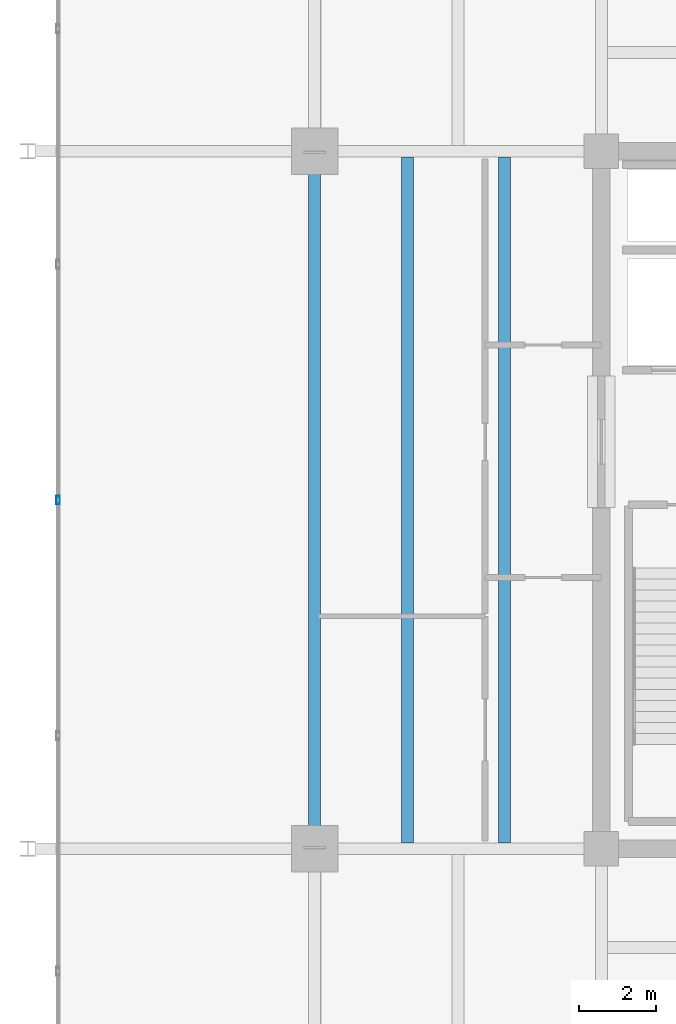
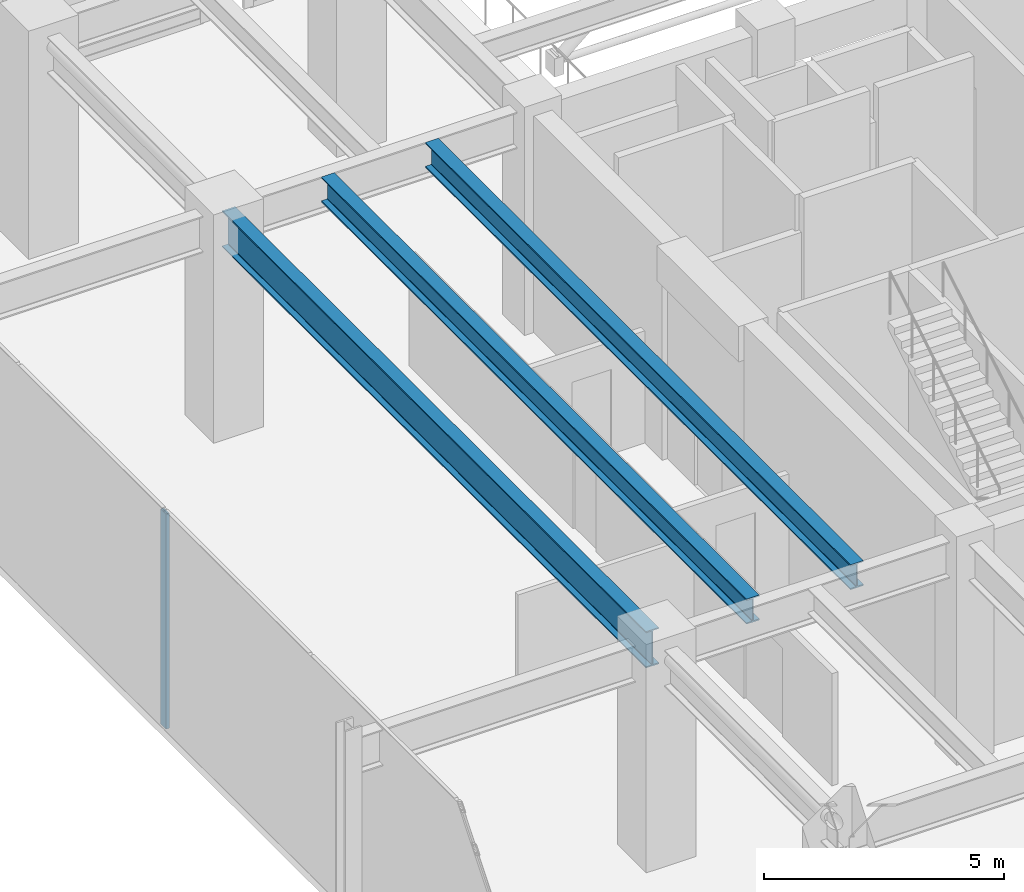
# One storey, part 6 of 25: 3 beams, 1 member, 1 element without a shape of its own.
"""IFC4 building model written with IfcOpenShell, lengths in metres."""

import ifcopenshell
import ifcopenshell.guid

model = None  # the IFC model being written
_history = None  # IfcOwnerHistory: only IFC2X3 demands one
_inside = {}  # id of a spatial element -> (the spatial element, [elements in it])
_under = {}  # id of a project, library or spatial element -> (it, [spatial elements below it])
_declared = {}  # id of a project -> (the project, [libraries it declares])
_typed = {}  # id of a type object -> (the type object, [elements of that type])
_made_of = {}  # id of a material, layer set ... -> (it, [elements and type objects made of it])


def new_model(schema):
    """Start an empty IFC model of exactly this schema.

    Asked for "IFC4X3", IfcOpenShell would pick the latest addendum, in which some entities
    have other attributes; the version numbers below select the first issue.
    IFC2X3 requires an IfcOwnerHistory on every rooted entity: one is made here for all.
    """
    global model, _history
    if schema == "IFC4X3":
        model = ifcopenshell.file(schema_version=(4, 3, 0, 0))
    else:
        model = ifcopenshell.file(schema=schema)
    _inside.clear()
    _under.clear()
    _declared.clear()
    _typed.clear()
    _made_of.clear()
    _history = None
    if model.schema == "IFC2X3":
        org = make("IfcOrganization", Name="unknown")
        user = make(
            "IfcPersonAndOrganization",
            ThePerson=make("IfcPerson", FamilyName="unknown"),
            TheOrganization=org,
        )
        app = make(
            "IfcApplication",
            ApplicationDeveloper=org,
            Version="unknown",
            ApplicationFullName="unknown",
            ApplicationIdentifier="unknown",
        )
        _history = make(
            "IfcOwnerHistory",
            OwningUser=user,
            OwningApplication=app,
            ChangeAction="ADDED",
            CreationDate=0,
        )
    return model


def make(cls, **values):
    """One entity of the class cls with the attributes given. An attribute that is None is left unset."""
    return model.create_entity(
        cls, **{name: value for name, value in values.items() if value is not None}
    )


def rooted(cls, **values):
    """An entity with a GlobalId (a new one), such as an element, a storey or a relation."""
    return make(cls, GlobalId=ifcopenshell.guid.new(), OwnerHistory=_history, **values)


def si_unit(unit_type, name, prefix=None):
    """IfcSIUnit, for example si_unit("LENGTHUNIT", "METRE", prefix="MILLI")."""
    return make("IfcSIUnit", UnitType=unit_type, Prefix=prefix, Name=name)


def assignment(units):
    """IfcUnitAssignment: the units of a project."""
    return None if units is None else make("IfcUnitAssignment", Units=units)


def point(xyz):
    """IfcCartesianPoint."""
    return None if xyz is None else make("IfcCartesianPoint", Coordinates=xyz)


def direction(xyz):
    """IfcDirection."""
    return None if xyz is None else make("IfcDirection", DirectionRatios=xyz)


def frame(location, z_axis=None, x_axis=None):
    """IfcAxis2Placement3D, a coordinate frame: its origin and axes. An axis left out is left unset."""
    return make(
        "IfcAxis2Placement3D",
        Location=point(location),
        Axis=direction(z_axis),
        RefDirection=direction(x_axis),
    )


def frame_2d(location, x_axis=None):
    """IfcAxis2Placement2D, a coordinate frame in the plane: its origin and x axis."""
    return make(
        "IfcAxis2Placement2D", Location=point(location), RefDirection=direction(x_axis)
    )


def origin():
    """The frame at (0, 0, 0) with its axes left unset."""
    return frame((0.0, 0.0, 0.0))


def origin_2d():
    """The frame at (0, 0) in the plane with its x axis left unset."""
    return frame_2d((0.0, 0.0))


def place(relative_to, where):
    """IfcLocalPlacement: puts the frame where relative to a parent placement (None: the world)."""
    return make(
        "IfcLocalPlacement", PlacementRelTo=relative_to, RelativePlacement=where
    )


def context(
    kind, dimensions, precision=None, world=None, true_north=None, identifier=None
):
    """IfcGeometricRepresentationContext, for example the 3D "Model" context."""
    return make(
        "IfcGeometricRepresentationContext",
        ContextIdentifier=identifier,
        ContextType=kind,
        CoordinateSpaceDimension=dimensions,
        Precision=precision,
        WorldCoordinateSystem=world,
        TrueNorth=true_north,
    )


def subcontext(parent, identifier, kind, view, scale=None):
    """IfcGeometricRepresentationSubContext, for example "Body" below "Model"."""
    return make(
        "IfcGeometricRepresentationSubContext",
        ContextIdentifier=identifier,
        ContextType=kind,
        ParentContext=parent,
        TargetScale=scale,
        TargetView=view,
    )


def project(units=None, contexts=None):
    """IfcProject with its units and contexts."""
    return rooted(
        "IfcProject",
        Name="project",
        RepresentationContexts=contexts,
        UnitsInContext=assignment(units),
    )


def spatial(cls, under=None, at=None, **own):
    """A site, building, storey or space (cls), placed at a placement, below another one or the project."""
    s = rooted(cls, ObjectPlacement=at, **own)
    if under is not None:
        _under.setdefault(under.id(), (under, []))[1].append(s)
    return s


def profile(cls, at=None, kind="AREA", **sizes):
    """A parametric profile (cls). Its sizes go by their IFC names, for example OverallWidth=200.0."""
    return make(cls, ProfileType=kind, Position=at, **sizes)


def hollow_rectangle(**sizes):
    """IfcRectangleHollowProfileDef."""
    return profile("IfcRectangleHollowProfileDef", **sizes)


def i_section(**sizes):
    """IfcIShapeProfileDef."""
    return profile("IfcIShapeProfileDef", **sizes)


def extrude(swept, where, along, depth):
    """IfcExtrudedAreaSolid: the profile swept, set in the frame where, extruded along a direction by depth."""
    return make(
        "IfcExtrudedAreaSolid",
        SweptArea=swept,
        Position=where,
        ExtrudedDirection=direction(along),
        Depth=depth,
    )


def shape(context_of_items, identifier, shape_type, items):
    """IfcShapeRepresentation: the items that make up one representation, for example the "Body"."""
    return make(
        "IfcShapeRepresentation",
        ContextOfItems=context_of_items,
        RepresentationIdentifier=identifier,
        RepresentationType=shape_type,
        Items=items,
    )


def material(Name=None, Category=None):
    """IfcMaterial."""
    return make("IfcMaterial", Name=Name, Category=Category)


def material_profile(
    of_material, cross_section, Name=None, Category=None, Priority=None
):
    """IfcMaterialProfile: a cross section and its material."""
    return make(
        "IfcMaterialProfile",
        Name=Name,
        Material=of_material,
        Profile=cross_section,
        Priority=Priority,
        Category=Category,
    )


def profile_set(profiles, Name=None, composite=None):
    """IfcMaterialProfileSet."""
    return make(
        "IfcMaterialProfileSet",
        Name=Name,
        MaterialProfiles=profiles,
        CompositeProfile=composite,
    )


def made_of(thing, what):
    """Note that an element or type object is made of a material, layer set ...; save() writes the relation."""
    if what is not None:
        _made_of.setdefault(what.id(), (what, []))[1].append(thing)
    return thing


def type_object(cls, material=None, **own):
    """A type object (cls), such as IfcWallType, which elements share."""
    return made_of(rooted(cls, **own), material)


def element(
    cls,
    number,
    at=None,
    inside=None,
    cuts=None,
    type_object=None,
    material=None,
    context=None,
    identifier="Body",
    shape_type=None,
    held_by="IfcProductDefinitionShape",
    body=None,
    shapes=None,
    **own,
):
    """One element of the class cls, such as IfcWall. Its Tag is "e" and its number.

    at: its placement. inside: the storey or other place that contains it. cuts: it is an
    opening in that element (IfcRelVoidsElement). A single representation is given by context,
    identifier, shape_type and body (its items); several are given by shapes. held_by: the class
    of the entity that holds the representations. save() writes the other relations.
    """
    e = rooted(cls, Tag="e%d" % number, ObjectPlacement=at, **own)
    if body is not None:
        shapes = [shape(context, identifier, shape_type, body)]
    if shapes is not None:
        e.Representation = make(held_by, Representations=shapes)
    if inside is not None:
        _inside.setdefault(inside.id(), (inside, []))[1].append(e)
    if cuts is not None:
        rooted(
            "IfcRelVoidsElement", RelatingBuildingElement=cuts, RelatedOpeningElement=e
        )
    if type_object is not None:
        _typed.setdefault(type_object.id(), (type_object, []))[1].append(e)
    return made_of(e, material)


def aggregate(whole, parts):
    """IfcRelAggregates: a whole, such as a stair, and the parts it consists of."""
    return rooted("IfcRelAggregates", RelatingObject=whole, RelatedObjects=parts)


def save(model, path):
    """Write the relations noted so far, then the file.

    IfcRelAggregates (storeys below a building ...), IfcRelContainedInSpatialStructure (elements
    in a storey), IfcRelDefinesByType, IfcRelAssociatesMaterial and IfcRelDeclares: one each for
    every whole, place, type object, material and project.
    """
    for whole, parts in _under.values():
        aggregate(whole, parts)
    for where, things in _inside.values():
        rooted(
            "IfcRelContainedInSpatialStructure",
            RelatedElements=things,
            RelatingStructure=where,
        )
    for kind, things in _typed.values():
        rooted("IfcRelDefinesByType", RelatedObjects=things, RelatingType=kind)
    for what, things in _made_of.values():
        rooted("IfcRelAssociatesMaterial", RelatedObjects=things, RelatingMaterial=what)
    for by, libraries in _declared.values():
        rooted("IfcRelDeclares", RelatingContext=by, RelatedDefinitions=libraries)
    model.write(path)


model = new_model("IFC4")

# Units and contexts
model_context = context("Model", 3, precision=1e-05, world=origin(), true_north=direction((0.0, 1.0)))
body_context = subcontext(model_context, "Body", "Model", "MODEL_VIEW")
ifc_project = project(units=[si_unit("LENGTHUNIT", "METRE"), si_unit("AREAUNIT", "SQUARE_METRE"), si_unit("VOLUMEUNIT", "CUBIC_METRE"), si_unit("PLANEANGLEUNIT", "RADIAN"), si_unit("MASSUNIT", "GRAM", prefix="KILO")], contexts=[model_context])

# Site, building, storey
site_placement = place(None, origin())
site = spatial("IfcSite", under=ifc_project, at=site_placement, CompositionType="ELEMENT")
building_placement = place(site_placement, origin())
building = spatial("IfcBuilding", under=site, at=building_placement, Name="Kovane Verandah Tower", CompositionType="ELEMENT")
storey_placement = place(building_placement, frame((0.0, 0.0, 295.199951171875)))
storey = spatial("IfcBuildingStorey", under=building, at=storey_placement, Name="L69", CompositionType="ELEMENT", Elevation=295.199951171875)

# Beams
ifc_material_1 = material(Name="Steel S460", Category="steel")
ifc_material_profile_1 = material_profile(ifc_material_1, i_section(OverallWidth=0.311279296875, OverallDepth=0.6357421875, WebThickness=0.018310546875, FlangeThickness=0.031494140625, FilletRadius=0.0166015625, at=origin_2d()), Name="UB610x305x238")
ifc_profile_set_1 = profile_set([ifc_material_profile_1], Name="Steel S460")
beam_type_1 = type_object("IfcBeamType", Name="BM-UB610x238", PredefinedType="BEAM", material=ifc_profile_set_1)
for number, where, z_axis, x_axis, name in (
    (1, (24.0, 18.65185546875, 5.18212890625), (0.0, 1.0, 0.0), (-1.0, 0.0, 0.0), "L69 Secondary Composite Joist J-W1"),
    (2, (26.5, 18.65185546875, 5.18212890625), (0.0, 1.0, 0.0), (-1.0, 0.0, 0.0), "L69 Secondary Composite Joist J-W2"),
):
    element("IfcBeam", number, at=place(storey_placement, frame(where, z_axis=z_axis, x_axis=x_axis)), inside=storey, type_object=beam_type_1, Name=name, PredefinedType="BEAM", context=body_context, shape_type="SweptSolid", body=[
        extrude(i_section(OverallWidth=0.311279296875, OverallDepth=0.6357421875, WebThickness=0.018310546875, FlangeThickness=0.031494140625, FilletRadius=0.0166015625, at=origin_2d()), origin(), (0.0, 0.0, 1.0), 17.6962890625),
    ])
ifc_material_profile_2 = material_profile(ifc_material_1, i_section(OverallWidth=0.3076171875, OverallDepth=0.926513671875, WebThickness=0.01953125, FlangeThickness=0.031982421875, FilletRadius=0.01904296875, at=origin_2d()), Name="UB914x305x289")
ifc_profile_set_2 = profile_set([ifc_material_profile_2], Name="Steel S460")
beam_type_2 = type_object("IfcBeamType", Name="BM-UB914x289", PredefinedType="BEAM", material=ifc_profile_set_2)
beam_placement = place(storey_placement, frame((21.60009765625, 18.679931640625, 5.036865234375), z_axis=(0.0, 1.0, 0.0), x_axis=(-1.0, 0.0, 0.0)))
element("IfcBeam", 3, at=beam_placement, inside=storey, type_object=beam_type_2, Name="L69 Primary Tower Girder G-RW2", PredefinedType="BEAM", context=body_context, shape_type="SweptSolid", body=[
    extrude(i_section(OverallWidth=0.3076171875, OverallDepth=0.926513671875, WebThickness=0.01953125, FlangeThickness=0.031982421875, FilletRadius=0.01904296875, at=origin_2d()), origin(), (0.0, 0.0, 1.0), 17.64013671875),
])

# Curtain wall, member
ifc_material_2 = material(Name="Champagne Anodised Aluminium Frame with Low-E Clear Laminated Glass", Category="aluminium")
curtain_wall_type = type_object("IfcCurtainWallType", Name="CW-SYS-05-HIGH", PredefinedType="NOTDEFINED", material=ifc_material_2)
curtain_wall_placement = place(storey_placement, origin())
curtain_wall = element("IfcCurtainWall", 4, at=curtain_wall_placement, inside=storey, type_object=curtain_wall_type, Name="L69 W Unitised Curtain Wall", PredefinedType="NOTDEFINED")
ifc_material_3 = material(Name="Champagne Anodised Aluminium 6063-T6", Category="aluminium")
ifc_material_profile_3 = material_profile(ifc_material_3, hollow_rectangle(XDim=0.0849609375, YDim=0.22998046875, WallThickness=0.00390625, at=origin_2d()), Name="AL85x230x4")
ifc_profile_set_3 = profile_set([ifc_material_profile_3], Name="Champagne Anodised Aluminium 6063-T6")
member_type = type_object("IfcMemberType", Name="CW-MUL-85x230", PredefinedType="MULLION", material=ifc_profile_set_3)
member_placement = place(storey_placement, frame((14.982177734375, 27.5, 0.02001953125), z_axis=(0.0, 0.0, 1.0), x_axis=(-1.0, 0.0, 0.0)))
member = element("IfcMember", 5, at=member_placement, type_object=member_type, Name="L69 W Unitised Curtain Wall Mullion 4", PredefinedType="MULLION", context=body_context, shape_type="SweptSolid", body=[
    extrude(hollow_rectangle(XDim=0.0849609375, YDim=0.22998046875, WallThickness=0.00390625, at=origin_2d()), origin(), (0.0, 0.0, 1.0), 5.4599609375),
])
aggregate(curtain_wall, [member])

save(model, "model.ifc")
